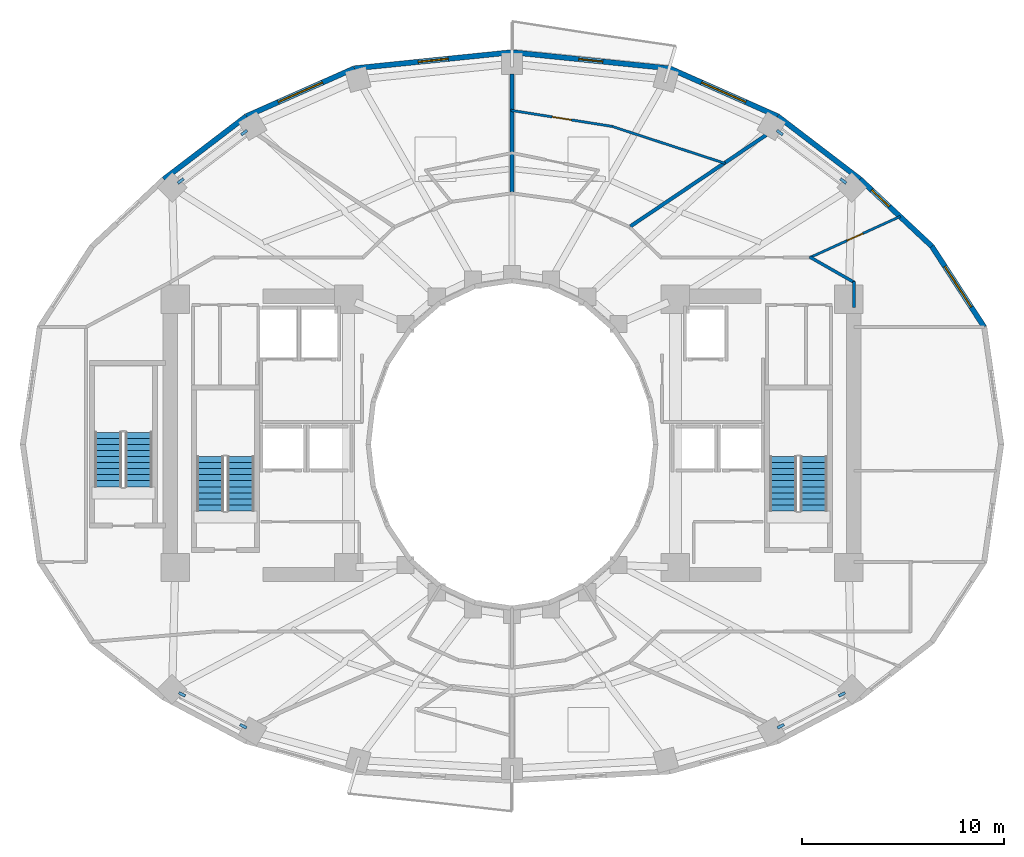
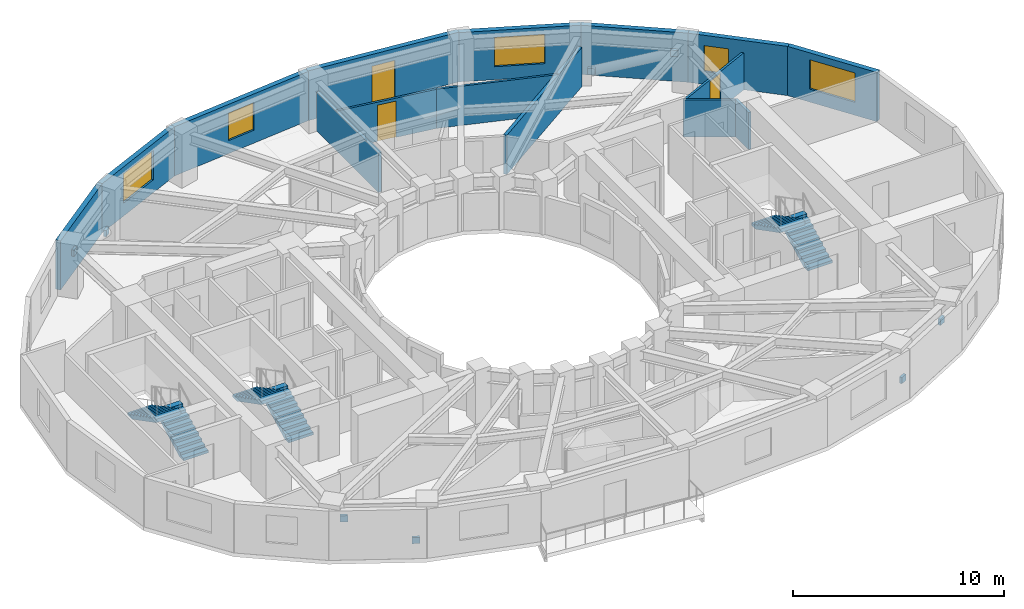
# One storey, part 7 of 9: 15 walls, 8 discrete accessories, 6 stair flights, 5 windows, 3 doors, 8 openings, 3 elements without a shape of their own.
"""IFC4 building model written with IfcOpenShell, lengths in metres."""

import ifcopenshell
import ifcopenshell.guid

model = None  # the IFC model being written
_history = None  # IfcOwnerHistory: only IFC2X3 demands one
_inside = {}  # id of a spatial element -> (the spatial element, [elements in it])
_under = {}  # id of a project, library or spatial element -> (it, [spatial elements below it])
_declared = {}  # id of a project -> (the project, [libraries it declares])
_typed = {}  # id of a type object -> (the type object, [elements of that type])
_made_of = {}  # id of a material, layer set ... -> (it, [elements and type objects made of it])


def new_model(schema):
    """Start an empty IFC model of exactly this schema.

    Asked for "IFC4X3", IfcOpenShell would pick the latest addendum, in which some entities
    have other attributes; the version numbers below select the first issue.
    IFC2X3 requires an IfcOwnerHistory on every rooted entity: one is made here for all.
    """
    global model, _history
    if schema == "IFC4X3":
        model = ifcopenshell.file(schema_version=(4, 3, 0, 0))
    else:
        model = ifcopenshell.file(schema=schema)
    _inside.clear()
    _under.clear()
    _declared.clear()
    _typed.clear()
    _made_of.clear()
    _history = None
    if model.schema == "IFC2X3":
        org = make("IfcOrganization", Name="unknown")
        user = make(
            "IfcPersonAndOrganization",
            ThePerson=make("IfcPerson", FamilyName="unknown"),
            TheOrganization=org,
        )
        app = make(
            "IfcApplication",
            ApplicationDeveloper=org,
            Version="unknown",
            ApplicationFullName="unknown",
            ApplicationIdentifier="unknown",
        )
        _history = make(
            "IfcOwnerHistory",
            OwningUser=user,
            OwningApplication=app,
            ChangeAction="ADDED",
            CreationDate=0,
        )
    return model


def make(cls, **values):
    """One entity of the class cls with the attributes given. An attribute that is None is left unset."""
    return model.create_entity(
        cls, **{name: value for name, value in values.items() if value is not None}
    )


def rooted(cls, **values):
    """An entity with a GlobalId (a new one), such as an element, a storey or a relation."""
    return make(cls, GlobalId=ifcopenshell.guid.new(), OwnerHistory=_history, **values)


def si_unit(unit_type, name, prefix=None):
    """IfcSIUnit, for example si_unit("LENGTHUNIT", "METRE", prefix="MILLI")."""
    return make("IfcSIUnit", UnitType=unit_type, Prefix=prefix, Name=name)


def assignment(units):
    """IfcUnitAssignment: the units of a project."""
    return None if units is None else make("IfcUnitAssignment", Units=units)


def point(xyz):
    """IfcCartesianPoint."""
    return None if xyz is None else make("IfcCartesianPoint", Coordinates=xyz)


def direction(xyz):
    """IfcDirection."""
    return None if xyz is None else make("IfcDirection", DirectionRatios=xyz)


def frame(location, z_axis=None, x_axis=None):
    """IfcAxis2Placement3D, a coordinate frame: its origin and axes. An axis left out is left unset."""
    return make(
        "IfcAxis2Placement3D",
        Location=point(location),
        Axis=direction(z_axis),
        RefDirection=direction(x_axis),
    )


def frame_2d(location, x_axis=None):
    """IfcAxis2Placement2D, a coordinate frame in the plane: its origin and x axis."""
    return make(
        "IfcAxis2Placement2D", Location=point(location), RefDirection=direction(x_axis)
    )


def origin():
    """The frame at (0, 0, 0) with its axes left unset."""
    return frame((0.0, 0.0, 0.0))


def origin_2d():
    """The frame at (0, 0) in the plane with its x axis left unset."""
    return frame_2d((0.0, 0.0))


def place(relative_to, where):
    """IfcLocalPlacement: puts the frame where relative to a parent placement (None: the world)."""
    return make(
        "IfcLocalPlacement", PlacementRelTo=relative_to, RelativePlacement=where
    )


def context(
    kind, dimensions, precision=None, world=None, true_north=None, identifier=None
):
    """IfcGeometricRepresentationContext, for example the 3D "Model" context."""
    return make(
        "IfcGeometricRepresentationContext",
        ContextIdentifier=identifier,
        ContextType=kind,
        CoordinateSpaceDimension=dimensions,
        Precision=precision,
        WorldCoordinateSystem=world,
        TrueNorth=true_north,
    )


def subcontext(parent, identifier, kind, view, scale=None):
    """IfcGeometricRepresentationSubContext, for example "Body" below "Model"."""
    return make(
        "IfcGeometricRepresentationSubContext",
        ContextIdentifier=identifier,
        ContextType=kind,
        ParentContext=parent,
        TargetScale=scale,
        TargetView=view,
    )


def project(units=None, contexts=None):
    """IfcProject with its units and contexts."""
    return rooted(
        "IfcProject",
        Name="project",
        RepresentationContexts=contexts,
        UnitsInContext=assignment(units),
    )


def spatial(cls, under=None, at=None, **own):
    """A site, building, storey or space (cls), placed at a placement, below another one or the project."""
    s = rooted(cls, ObjectPlacement=at, **own)
    if under is not None:
        _under.setdefault(under.id(), (under, []))[1].append(s)
    return s


def polyline(points):
    """IfcPolyline through the points."""
    return make("IfcPolyline", Points=[point(p) for p in points])


def profile(cls, at=None, kind="AREA", **sizes):
    """A parametric profile (cls). Its sizes go by their IFC names, for example OverallWidth=200.0."""
    return make(cls, ProfileType=kind, Position=at, **sizes)


def rectangle(**sizes):
    """IfcRectangleProfileDef."""
    return profile("IfcRectangleProfileDef", **sizes)


def outline(outer, holes=None, kind="AREA"):
    """IfcArbitraryClosedProfileDef: a profile drawn as a closed curve; with holes, ...WithVoids."""
    if holes is None:
        return make("IfcArbitraryClosedProfileDef", ProfileType=kind, OuterCurve=outer)
    return make(
        "IfcArbitraryProfileDefWithVoids",
        ProfileType=kind,
        OuterCurve=outer,
        InnerCurves=holes,
    )


def extrude(swept, where, along, depth):
    """IfcExtrudedAreaSolid: the profile swept, set in the frame where, extruded along a direction by depth."""
    return make(
        "IfcExtrudedAreaSolid",
        SweptArea=swept,
        Position=where,
        ExtrudedDirection=direction(along),
        Depth=depth,
    )


def shape(context_of_items, identifier, shape_type, items):
    """IfcShapeRepresentation: the items that make up one representation, for example the "Body"."""
    return make(
        "IfcShapeRepresentation",
        ContextOfItems=context_of_items,
        RepresentationIdentifier=identifier,
        RepresentationType=shape_type,
        Items=items,
    )


def material(Name=None, Category=None):
    """IfcMaterial."""
    return make("IfcMaterial", Name=Name, Category=Category)


def layer(
    of_material, thickness, ventilated=None, Name=None, Category=None, Priority=None
):
    """IfcMaterialLayer: one layer of a wall or slab, of a material (None: an air gap)."""
    return make(
        "IfcMaterialLayer",
        Material=of_material,
        LayerThickness=thickness,
        IsVentilated=ventilated,
        Name=Name,
        Category=Category,
        Priority=Priority,
    )


def layer_set(layers, Name=None):
    """IfcMaterialLayerSet."""
    return make("IfcMaterialLayerSet", MaterialLayers=layers, LayerSetName=Name)


def made_of(thing, what):
    """Note that an element or type object is made of a material, layer set ...; save() writes the relation."""
    if what is not None:
        _made_of.setdefault(what.id(), (what, []))[1].append(thing)
    return thing


def type_object(cls, material=None, **own):
    """A type object (cls), such as IfcWallType, which elements share."""
    return made_of(rooted(cls, **own), material)


def element(
    cls,
    number,
    at=None,
    inside=None,
    cuts=None,
    type_object=None,
    material=None,
    context=None,
    identifier="Body",
    shape_type=None,
    held_by="IfcProductDefinitionShape",
    body=None,
    shapes=None,
    **own,
):
    """One element of the class cls, such as IfcWall. Its Tag is "e" and its number.

    at: its placement. inside: the storey or other place that contains it. cuts: it is an
    opening in that element (IfcRelVoidsElement). A single representation is given by context,
    identifier, shape_type and body (its items); several are given by shapes. held_by: the class
    of the entity that holds the representations. save() writes the other relations.
    """
    e = rooted(cls, Tag="e%d" % number, ObjectPlacement=at, **own)
    if body is not None:
        shapes = [shape(context, identifier, shape_type, body)]
    if shapes is not None:
        e.Representation = make(held_by, Representations=shapes)
    if inside is not None:
        _inside.setdefault(inside.id(), (inside, []))[1].append(e)
    if cuts is not None:
        rooted(
            "IfcRelVoidsElement", RelatingBuildingElement=cuts, RelatedOpeningElement=e
        )
    if type_object is not None:
        _typed.setdefault(type_object.id(), (type_object, []))[1].append(e)
    return made_of(e, material)


def fill(opening, filler):
    """IfcRelFillsElement: the door or window that sits in an opening."""
    return rooted(
        "IfcRelFillsElement",
        RelatingOpeningElement=opening,
        RelatedBuildingElement=filler,
    )


def aggregate(whole, parts):
    """IfcRelAggregates: a whole, such as a stair, and the parts it consists of."""
    return rooted("IfcRelAggregates", RelatingObject=whole, RelatedObjects=parts)


def save(model, path):
    """Write the relations noted so far, then the file.

    IfcRelAggregates (storeys below a building ...), IfcRelContainedInSpatialStructure (elements
    in a storey), IfcRelDefinesByType, IfcRelAssociatesMaterial and IfcRelDeclares: one each for
    every whole, place, type object, material and project.
    """
    for whole, parts in _under.values():
        aggregate(whole, parts)
    for where, things in _inside.values():
        rooted(
            "IfcRelContainedInSpatialStructure",
            RelatedElements=things,
            RelatingStructure=where,
        )
    for kind, things in _typed.values():
        rooted("IfcRelDefinesByType", RelatedObjects=things, RelatingType=kind)
    for what, things in _made_of.values():
        rooted("IfcRelAssociatesMaterial", RelatedObjects=things, RelatingMaterial=what)
    for by, libraries in _declared.values():
        rooted("IfcRelDeclares", RelatingContext=by, RelatedDefinitions=libraries)
    model.write(path)


model = new_model("IFC4")

# Units and contexts
model_context = context("Model", 3, precision=1e-05, world=origin(), true_north=direction((0.0, 1.0)))
body_context = subcontext(model_context, "Body", "Model", "MODEL_VIEW")
ifc_project = project(units=[si_unit("LENGTHUNIT", "METRE"), si_unit("AREAUNIT", "SQUARE_METRE"), si_unit("VOLUMEUNIT", "CUBIC_METRE"), si_unit("PLANEANGLEUNIT", "RADIAN"), si_unit("MASSUNIT", "GRAM", prefix="KILO")], contexts=[model_context])

# Site, building, storey
site_placement = place(None, origin())
site = spatial("IfcSite", under=ifc_project, at=site_placement, CompositionType="ELEMENT")
building_placement = place(site_placement, origin())
building = spatial("IfcBuilding", under=site, at=building_placement, Name="Solvane Sanctuary Tower", CompositionType="ELEMENT")
storey_placement = place(building_placement, frame((0.0, 0.0, 116.60009765625)))
storey = spatial("IfcBuildingStorey", under=building, at=storey_placement, Name="L35", CompositionType="ELEMENT", Elevation=116.60009765625)

# Walls
ifc_material_1 = material(Name="Acoustic Gypsum Partition Board")
ifc_layer_1 = layer(ifc_material_1, 0.14990234375, Name="Acoustic Gypsum Partition Board")
ifc_layer_set_1 = layer_set([ifc_layer_1], Name="Acoustic Gypsum Partition Board")
wall_type_1 = type_object("IfcWallType", Name="Wall W-CORR-150", PredefinedType="PARTITIONING", material=ifc_layer_set_1)
wall_1_placement = place(storey_placement, frame((48.949951171875, 29.800048828125, 0.0), z_axis=(0.0, 0.0, 1.0), x_axis=(0.0, 1.0, 0.0)))
element("IfcWall", 1, at=wall_1_placement, inside=storey, type_object=wall_type_1, Name="L35 NE Corner Closer 1", PredefinedType="PARTITIONING", context=body_context, shape_type="SweptSolid", body=[
    extrude(rectangle(XDim=1.2900390625, YDim=0.14990234375, at=frame_2d((0.64501953125, 0.0))), origin(), (0.0, 0.0, 1.0), 2.141845703125),
])
wall_2_placement = place(storey_placement, frame((46.756591796875, 32.3046875, 0.0), z_axis=(0.0, 0.0, 1.0), x_axis=(0.867991349648, -0.496579315857, 0.0)))
element("IfcWall", 2, at=wall_2_placement, inside=storey, type_object=wall_type_1, Name="L35 NE Corner Wing Wall", PredefinedType="PARTITIONING", context=body_context, shape_type="SweptSolid", body=[
    extrude(rectangle(XDim=2.56689453125, YDim=0.14990234375, at=frame_2d((1.283447265625, 0.0))), origin(), (0.0, 0.0, 1.0), 2.141845703125),
])

# Wall, opening, window
ifc_material_2 = material(Name="Precast concrete C40/50", Category="concrete")
ifc_layer_2 = layer(ifc_material_2, 0.260009765625, Name="Precast concrete C40/50")
ifc_layer_set_2 = layer_set([ifc_layer_2], Name="Precast concrete C40/50")
wall_type_2 = type_object("IfcWallType", Name="Wall W-EXT-250", PredefinedType="STANDARD", material=ifc_layer_set_2)
wall_3_placement = place(storey_placement, frame((55.421875, 28.818603515625, 0.0), z_axis=(0.0, 0.0, 1.0), x_axis=(-0.544388392991, 0.838833283541, 0.0)))
wall_3 = element("IfcWall", 3, at=wall_3_placement, inside=storey, type_object=wall_type_2, Name="L35 Ceramic-Printed Facade Wall 01", PredefinedType="STANDARD", context=body_context, shape_type="SweptSolid", body=[
    extrude(rectangle(XDim=4.7783203125, YDim=0.260009765625, at=frame_2d((2.38916015625, 0.0))), origin(), (0.0, 0.0, 1.0), 2.849853515625),
])
opening_1_placement = place(wall_3_placement, frame((1.189208984375, 0.0, 0.75)))
opening_1 = element("IfcOpeningElement", 4, at=opening_1_placement, cuts=wall_3, Name="Opening WN-RIB-2400", PredefinedType="OPENING", context=body_context, shape_type="SweptSolid", body=[
    extrude(rectangle(XDim=2.39990234375, YDim=1.699951171875, at=frame_2d((1.199951171875, 0.85009765625))), frame((0.0, 0.139892578125, 0.0), z_axis=(0.0, -1.0, 0.0), x_axis=(1.0, 0.0, 0.0)), (0.0, 0.0, 1.0), 0.280029296875),
])
ifc_material_3 = material(Name="Dark Ceramic-Fritted Low-E Glass", Category="glass")
window_type_1 = type_object("IfcWindowType", Name="Window WN-RIB-2400", PartitioningType="SINGLE_PANEL", PredefinedType="WINDOW", material=ifc_material_3)
window_1_placement = place(opening_1_placement, origin())
window_1 = element("IfcWindow", 5, at=window_1_placement, inside=storey, type_object=window_type_1, Name="L35 Operable Facade Window 01", OverallHeight=1.699951171875, OverallWidth=2.39990234375, PartitioningType="SINGLE_PANEL", PredefinedType="WINDOW", context=body_context, shape_type="SweptSolid", body=[
    extrude(rectangle(XDim=2.39990234375, YDim=1.699951171875, at=frame_2d((1.199951171875, 0.85009765625))), frame((0.0, 0.030029296875, 0.0), z_axis=(0.0, -1.0, 0.0), x_axis=(1.0, 0.0, 0.0)), (0.0, 0.0, 1.0), 0.06005859375),
])
fill(opening_1, window_1)

wall_4_placement = place(storey_placement, frame((52.820556640625, 32.826904296875, 0.0), z_axis=(0.0, 0.0, 1.0), x_axis=(-0.730162452258, 0.68327358599, 0.0)))
wall_4 = element("IfcWall", 6, at=wall_4_placement, inside=storey, type_object=wall_type_2, Name="L35 Ceramic-Printed Facade Wall 02", PredefinedType="STANDARD", context=body_context, shape_type="SweptSolid", body=[
    extrude(rectangle(XDim=4.868408203125, YDim=0.260009765625, at=frame_2d((2.43408203125, 0.0))), origin(), (0.0, 0.0, 1.0), 2.849853515625),
])
opening_2_placement = place(wall_4_placement, frame((2.88916015625, 0.0, 0.75)))
opening_2 = element("IfcOpeningElement", 7, at=opening_2_placement, cuts=wall_4, Name="Opening WN-OPER-1200", PredefinedType="OPENING", context=body_context, shape_type="SweptSolid", body=[
    extrude(rectangle(XDim=1.199951171875, YDim=1.5, at=frame_2d((0.60009765625, 0.75))), frame((0.0, 0.139892578125, 0.0), z_axis=(0.0, -1.0, 0.0), x_axis=(1.0, 0.0, 0.0)), (0.0, 0.0, 1.0), 0.280029296875),
])
window_type_2 = type_object("IfcWindowType", Name="Window WN-OPER-1200", PartitioningType="SINGLE_PANEL", PredefinedType="WINDOW", material=ifc_material_3)
window_2_placement = place(opening_2_placement, origin())
window_2 = element("IfcWindow", 8, at=window_2_placement, inside=storey, type_object=window_type_2, Name="L35 Operable Facade Window 02", OverallHeight=1.5, OverallWidth=1.199951171875, PartitioningType="SINGLE_PANEL", PredefinedType="WINDOW", context=body_context, shape_type="SweptSolid", body=[
    extrude(rectangle(XDim=1.199951171875, YDim=1.5, at=frame_2d((0.60009765625, 0.75))), frame((0.0, 0.030029296875, 0.0), z_axis=(0.0, -1.0, 0.0), x_axis=(1.0, 0.0, 0.0)), (0.0, 0.0, 1.0), 0.06005859375),
])
fill(opening_2, window_2)

# Wall
wall_5_placement = place(storey_placement, frame((49.265869140625, 36.1533203125, 0.0), z_axis=(0.0, 0.0, 1.0), x_axis=(-0.794809810864, 0.606858603427, 0.0)))
element("IfcWall", 9, at=wall_5_placement, inside=storey, type_object=wall_type_2, Name="L35 Ceramic-Printed Facade Wall 03", PredefinedType="STANDARD", context=body_context, shape_type="SweptSolid", body=[
    extrude(rectangle(XDim=5.149169921875, YDim=0.260009765625, at=frame_2d((2.57470703125, 0.0))), origin(), (0.0, 0.0, 1.0), 2.849853515625),
])

# Wall, opening, window
wall_6_placement = place(storey_placement, frame((45.17333984375, 39.278076171875, 0.0), z_axis=(0.0, 0.0, 1.0), x_axis=(-0.914336605747, 0.404955023911, 0.0)))
wall_6 = element("IfcWall", 10, at=wall_6_placement, inside=storey, type_object=wall_type_2, Name="L35 Ceramic-Printed Facade Wall 04", PredefinedType="STANDARD", context=body_context, shape_type="SweptSolid", body=[
    extrude(rectangle(XDim=5.85888671875, YDim=0.260009765625, at=frame_2d((2.929443359375, 0.0))), origin(), (0.0, 0.0, 1.0), 2.849853515625),
])
opening_3_placement = place(wall_6_placement, frame((1.7294921875, 0.0, 0.75)))
opening_3 = element("IfcOpeningElement", 11, at=opening_3_placement, cuts=wall_6, Name="Opening WN-RIB-2400", PredefinedType="OPENING", context=body_context, shape_type="SweptSolid", body=[
    extrude(rectangle(XDim=2.39990234375, YDim=1.699951171875, at=frame_2d((1.199951171875, 0.85009765625))), frame((0.0, 0.139892578125, 0.0), z_axis=(0.0, -1.0, 0.0), x_axis=(1.0, 0.0, 0.0)), (0.0, 0.0, 1.0), 0.280029296875),
])
window_3_placement = place(opening_3_placement, origin())
window_3 = element("IfcWindow", 12, at=window_3_placement, inside=storey, type_object=window_type_1, Name="L35 Operable Facade Window 04", OverallHeight=1.699951171875, OverallWidth=2.39990234375, PartitioningType="SINGLE_PANEL", PredefinedType="WINDOW", context=body_context, shape_type="SweptSolid", body=[
    extrude(rectangle(XDim=2.39990234375, YDim=1.699951171875, at=frame_2d((1.199951171875, 0.85009765625))), frame((0.0, 0.030029296875, 0.0), z_axis=(0.0, -1.0, 0.0), x_axis=(1.0, 0.0, 0.0)), (0.0, 0.0, 1.0), 0.06005859375),
])
fill(opening_3, window_3)

# Wall, opening, door
wall_7_placement = place(storey_placement, frame((39.81640625, 41.650634765625, 0.0), z_axis=(0.0, 0.0, 1.0), x_axis=(-0.994821390558, 0.101638579726, 0.0)))
wall_7 = element("IfcWall", 13, at=wall_7_placement, inside=storey, type_object=wall_type_2, Name="L35 Balcony Facade Wall NC", PredefinedType="STANDARD", context=body_context, shape_type="SweptSolid", body=[
    extrude(rectangle(XDim=7.857177734375, YDim=0.260009765625, at=frame_2d((3.9287109375, 0.0))), origin(), (0.0, 0.0, 1.0), 2.8798828125),
])
opening_4_placement = place(wall_7_placement, frame((3.32861328125, 0.0, 0.0)))
opening_4 = element("IfcOpeningElement", 14, at=opening_4_placement, cuts=wall_7, Name="Opening D-L35-01", PredefinedType="OPENING", context=body_context, shape_type="SweptSolid", body=[
    extrude(rectangle(XDim=1.199951171875, YDim=2.199951171875, at=frame_2d((0.60009765625, 1.10009765625))), frame((0.0, 0.139892578125, 0.0), z_axis=(0.0, -1.0, 0.0), x_axis=(1.0, 0.0, 0.0)), (0.0, 0.0, 1.0), 0.280029296875),
])
ifc_material_4 = material(Name="Anodised Aluminium 6063-T6", Category="aluminium")
door_type_1 = type_object("IfcDoorType", Name="Door D-BALC-1200", OperationType="NOTDEFINED", PredefinedType="DOOR", material=ifc_material_4)
door_1_placement = place(opening_4_placement, origin())
door_1 = element("IfcDoor", 15, at=door_1_placement, inside=storey, type_object=door_type_1, Name="L35 Glazed Balcony Door NC", OperationType="SINGLE_SWING_RIGHT", OverallHeight=2.199951171875, OverallWidth=1.199951171875, PredefinedType="DOOR", context=body_context, shape_type="SweptSolid", body=[
    extrude(rectangle(XDim=1.199951171875, YDim=2.199951171875, at=frame_2d((0.60009765625, 1.10009765625))), frame((0.0, 0.02490234375, 0.0), z_axis=(0.0, -1.0, 0.0), x_axis=(1.0, 0.0, 0.0)), (0.0, 0.0, 1.0), 0.050048828125),
])
fill(opening_4, door_1)

# Wall, opening, window
wall_8_placement = place(storey_placement, frame((32.0, 42.44921875, 0.0), z_axis=(0.0, 0.0, 1.0), x_axis=(-0.994821390558, -0.101638579726, 0.0)))
wall_8 = element("IfcWall", 16, at=wall_8_placement, inside=storey, type_object=wall_type_2, Name="L35 Ceramic-Printed Facade Wall 06", PredefinedType="STANDARD", context=body_context, shape_type="SweptSolid", body=[
    extrude(rectangle(XDim=7.857177734375, YDim=0.260009765625, at=frame_2d((3.9287109375, 0.0))), origin(), (0.0, 0.0, 1.0), 2.849853515625),
])
opening_5_placement = place(wall_8_placement, frame((3.178466796875, 0.0, 0.75)))
opening_5 = element("IfcOpeningElement", 17, at=opening_5_placement, cuts=wall_8, Name="Opening WN-OPER-1500", PredefinedType="OPENING", context=body_context, shape_type="SweptSolid", body=[
    extrude(rectangle(XDim=1.5, YDim=1.60009765625, at=frame_2d((0.75, 0.800048828125))), frame((0.0, 0.139892578125, 0.0), z_axis=(0.0, -1.0, 0.0), x_axis=(1.0, 0.0, 0.0)), (0.0, 0.0, 1.0), 0.280029296875),
])
window_type_3 = type_object("IfcWindowType", Name="Window WN-OPER-1500", PartitioningType="SINGLE_PANEL", PredefinedType="WINDOW", material=ifc_material_3)
window_4_placement = place(opening_5_placement, origin())
window_4 = element("IfcWindow", 18, at=window_4_placement, inside=storey, type_object=window_type_3, Name="L35 Operable Facade Window 06", OverallHeight=1.60009765625, OverallWidth=1.5, PartitioningType="SINGLE_PANEL", PredefinedType="WINDOW", context=body_context, shape_type="SweptSolid", body=[
    extrude(rectangle(XDim=1.5, YDim=1.60009765625, at=frame_2d((0.75, 0.800048828125))), frame((0.0, 0.030029296875, 0.0), z_axis=(0.0, -1.0, 0.0), x_axis=(1.0, 0.0, 0.0)), (0.0, 0.0, 1.0), 0.06005859375),
])
fill(opening_5, window_4)

wall_9_placement = place(storey_placement, frame((24.18359375, 41.650634765625, 0.0), z_axis=(0.0, 0.0, 1.0), x_axis=(-0.914336605747, -0.404955023911, 0.0)))
wall_9 = element("IfcWall", 19, at=wall_9_placement, inside=storey, type_object=wall_type_2, Name="L35 Ceramic-Printed Facade Wall 07", PredefinedType="STANDARD", context=body_context, shape_type="SweptSolid", body=[
    extrude(rectangle(XDim=5.85888671875, YDim=0.260009765625, at=frame_2d((2.929443359375, 0.0))), origin(), (0.0, 0.0, 1.0), 2.849853515625),
])
opening_6_placement = place(wall_9_placement, frame((1.7294921875, 0.0, 0.75)))
opening_6 = element("IfcOpeningElement", 20, at=opening_6_placement, cuts=wall_9, Name="Opening WN-RIB-2400", PredefinedType="OPENING", context=body_context, shape_type="SweptSolid", body=[
    extrude(rectangle(XDim=2.39990234375, YDim=1.699951171875, at=frame_2d((1.199951171875, 0.85009765625))), frame((0.0, 0.139892578125, 0.0), z_axis=(0.0, -1.0, 0.0), x_axis=(1.0, 0.0, 0.0)), (0.0, 0.0, 1.0), 0.280029296875),
])
window_5_placement = place(opening_6_placement, origin())
window_5 = element("IfcWindow", 21, at=window_5_placement, inside=storey, type_object=window_type_1, Name="L35 Operable Facade Window 07", OverallHeight=1.699951171875, OverallWidth=2.39990234375, PartitioningType="SINGLE_PANEL", PredefinedType="WINDOW", context=body_context, shape_type="SweptSolid", body=[
    extrude(rectangle(XDim=2.39990234375, YDim=1.699951171875, at=frame_2d((1.199951171875, 0.85009765625))), frame((0.0, 0.030029296875, 0.0), z_axis=(0.0, -1.0, 0.0), x_axis=(1.0, 0.0, 0.0)), (0.0, 0.0, 1.0), 0.06005859375),
])
fill(opening_6, window_5)

# Wall
wall_10_placement = place(storey_placement, frame((18.82666015625, 39.278076171875, 0.0), z_axis=(0.0, 0.0, 1.0), x_axis=(-0.794809810864, -0.606858603427, 0.0)))
element("IfcWall", 22, at=wall_10_placement, inside=storey, type_object=wall_type_2, Name="L35 Ceramic-Printed Facade Wall 08", PredefinedType="STANDARD", context=body_context, shape_type="SweptSolid", body=[
    extrude(rectangle(XDim=5.149169921875, YDim=0.260009765625, at=frame_2d((2.57470703125, 0.0))), origin(), (0.0, 0.0, 1.0), 2.849853515625),
])

# Wall, opening, door
ifc_layer_3 = layer(ifc_material_1, 0.1201171875, Name="Acoustic Gypsum Partition Board")
ifc_layer_set_3 = layer_set([ifc_layer_3], Name="Acoustic Gypsum Partition Board")
wall_type_3 = type_object("IfcWallType", Name="Wall W-MOV-100", PredefinedType="MOVABLE", material=ifc_layer_set_3)
wall_11_placement = place(storey_placement, frame((46.75439453125, 32.25927734375, 0.0), z_axis=(0.0, 0.0, 1.0), x_axis=(0.910140380276, 0.414299997817, 0.0)))
wall_11 = element("IfcWall", 23, at=wall_11_placement, inside=storey, type_object=wall_type_3, Name="L35 NE Corner Suite Partition", PredefinedType="MOVABLE", context=body_context, shape_type="SweptSolid", body=[
    extrude(rectangle(XDim=4.958251953125, YDim=0.1201171875, at=frame_2d((2.47900390625, 0.0))), origin(), (0.0, 0.0, 1.0), 2.141845703125),
])
opening_7_placement = place(wall_11_placement, frame((2.05419921875, 0.0, 0.0)))
opening_7 = element("IfcOpeningElement", 24, at=opening_7_placement, cuts=wall_11, Name="Opening D-L35-17", PredefinedType="OPENING", context=body_context, shape_type="SweptSolid", body=[
    extrude(rectangle(XDim=0.85009765625, YDim=2.050048828125, at=frame_2d((0.425048828125, 1.02490234375))), frame((0.0, 0.070068359375, 0.0), z_axis=(0.0, -1.0, 0.0), x_axis=(1.0, 0.0, 0.0)), (0.0, 0.0, 1.0), 0.14013671875),
])
ifc_material_5 = material(Name="Architectural Stainless Steel 316", Category="steel")
door_type_2 = type_object("IfcDoorType", Name="Door D-RISER", OperationType="NOTDEFINED", PredefinedType="DOOR", material=ifc_material_5)
door_2_placement = place(opening_7_placement, origin())
door_2 = element("IfcDoor", 25, at=door_2_placement, inside=storey, type_object=door_type_2, Name="L35 NE Corner Suite Door", OperationType="SINGLE_SWING_RIGHT", OverallHeight=2.050048828125, OverallWidth=0.85009765625, PredefinedType="DOOR", context=body_context, shape_type="SweptSolid", body=[
    extrude(rectangle(XDim=0.85009765625, YDim=2.050048828125, at=frame_2d((0.425048828125, 1.02490234375))), frame((0.0, 0.02490234375, 0.0), z_axis=(0.0, -1.0, 0.0), x_axis=(1.0, 0.0, 0.0)), (0.0, 0.0, 1.0), 0.050048828125),
])
fill(opening_7, door_2)

# Wall
wall_12_placement = place(storey_placement, frame((42.577880859375, 36.9365234375, 0.0), z_axis=(0.0, 0.0, 1.0), x_axis=(-0.950437911455, 0.310914419848, 0.0)))
element("IfcWall", 26, at=wall_12_placement, inside=storey, type_object=wall_type_3, Name="L35 Suite Sitting Lounge Partition N1", PredefinedType="MOVABLE", context=body_context, shape_type="SweptSolid", body=[
    extrude(rectangle(XDim=5.919189453125, YDim=0.1201171875, at=frame_2d((2.95947265625, 0.0))), origin(), (0.0, 0.0, 1.0), 2.27197265625),
])

# Wall, opening, door
wall_13_placement = place(storey_placement, frame((36.971435546875, 38.772216796875, 0.0), z_axis=(0.0, 0.0, 1.0), x_axis=(-0.987600451088, 0.156988372215, 0.0)))
wall_13 = element("IfcWall", 27, at=wall_13_placement, inside=storey, type_object=wall_type_3, Name="L35 Suite Sitting Lounge Partition N1", PredefinedType="MOVABLE", context=body_context, shape_type="SweptSolid", body=[
    extrude(rectangle(XDim=5.083740234375, YDim=0.1201171875, at=frame_2d((2.5419921875, 0.0))), origin(), (0.0, 0.0, 1.0), 2.27197265625),
])
opening_8_placement = place(wall_13_placement, frame((2.06689453125, 0.0, 0.0)))
opening_8 = element("IfcOpeningElement", 28, at=opening_8_placement, cuts=wall_13, Name="Opening D-L35-25", PredefinedType="OPENING", context=body_context, shape_type="SweptSolid", body=[
    extrude(rectangle(XDim=0.949951171875, YDim=2.10009765625, at=frame_2d((0.47509765625, 1.050048828125))), frame((0.0, 0.070068359375, 0.0), z_axis=(0.0, -1.0, 0.0), x_axis=(1.0, 0.0, 0.0)), (0.0, 0.0, 1.0), 0.14013671875),
])
ifc_material_6 = material(Name="Engineered Tropical Hardwood", Category="wood")
door_type_3 = type_object("IfcDoorType", Name="Door D-ROOM-950", OperationType="NOTDEFINED", PredefinedType="DOOR", material=ifc_material_6)
door_3_placement = place(opening_8_placement, origin())
door_3 = element("IfcDoor", 29, at=door_3_placement, inside=storey, type_object=door_type_3, Name="L35 Suite Sitting Lounge Door N1", OperationType="SINGLE_SWING_RIGHT", OverallHeight=2.10009765625, OverallWidth=0.949951171875, PredefinedType="DOOR", context=body_context, shape_type="SweptSolid", body=[
    extrude(rectangle(XDim=0.949951171875, YDim=2.10009765625, at=frame_2d((0.47509765625, 1.050048828125))), frame((0.0, 0.02490234375, 0.0), z_axis=(0.0, -1.0, 0.0), x_axis=(1.0, 0.0, 0.0)), (0.0, 0.0, 1.0), 0.050048828125),
])
fill(opening_8, door_3)

# Walls
ifc_layer_4 = layer(ifc_material_1, 0.179931640625, Name="Acoustic Gypsum Partition Board")
ifc_layer_set_4 = layer_set([ifc_layer_4], Name="Acoustic Gypsum Partition Board")
wall_type_4 = type_object("IfcWallType", Name="Wall W-UNIT-180", PredefinedType="PARTITIONING", material=ifc_layer_set_4)
wall_14_placement = place(storey_placement, frame((37.87353515625, 33.81787109375, 0.0), z_axis=(0.0, 0.0, 1.0), x_axis=(0.829603023521, 0.558353672295, 0.0)))
element("IfcWall", 30, at=wall_14_placement, inside=storey, type_object=wall_type_4, Name="L35 Radial Compartment Wall 060", PredefinedType="PARTITIONING", context=body_context, shape_type="SweptSolid", body=[
    extrude(rectangle(XDim=8.114990234375, YDim=0.179931640625, at=frame_2d((4.0576171875, 0.0))), origin(), (0.0, 0.0, 1.0), 2.27197265625),
])
wall_15_placement = place(storey_placement, frame((32.0, 35.510986328125, 0.0), z_axis=(0.0, 0.0, 1.0), x_axis=(0.0, 1.0, 0.0)))
element("IfcWall", 31, at=wall_15_placement, inside=storey, type_object=wall_type_4, Name="L35 Radial Compartment Wall 090", PredefinedType="PARTITIONING", context=body_context, shape_type="SweptSolid", body=[
    extrude(rectangle(XDim=5.864013671875, YDim=0.179931640625, at=frame_2d((2.93212890625, 0.0))), origin(), (0.0, 0.0, 1.0), 2.27197265625),
])

# Stair, stair flights
ifc_material_7 = material(Name="Concrete C45/55", Category="concrete")
stair_type = type_object("IfcStairType", Name="Stair ST-TOW", PredefinedType="HALF_TURN_STAIR", material=ifc_material_7)
stair_1_placement = place(storey_placement, origin())
stair_1 = element("IfcStair", 32, at=stair_1_placement, inside=storey, type_object=stair_type, Name="L35 Exit Stair ST-1 West Core", PredefinedType="HALF_TURN_STAIR")
stair_flight_type = type_object("IfcStairFlightType", Name="StairFlight SF-TOW", PredefinedType="STRAIGHT", material=ifc_material_7)
stair_flight_1_placement = place(storey_placement, frame((18.544921875, 19.699951171875, 0.0), z_axis=(0.0, 0.0, 1.0), x_axis=(0.0, 1.0, 0.0)))
stair_flight_1 = element("IfcStairFlight", 33, at=stair_flight_1_placement, type_object=stair_flight_type, Name="ST-1 flight 1", NumberOfRisers=10, NumberOfTreads=9, PredefinedType="STRAIGHT", RiserHeight=0.155, TreadLength=0.3, context=body_context, shape_type="SweptSolid", body=[
    extrude(outline(polyline([(0.0, 0.0), (0.0, 0.155029296875), (0.300048828125, 0.155029296875), (0.300048828125, 0.31005859375), (0.60009765625, 0.31005859375), (0.60009765625, 0.465087890625), (0.89990234375, 0.465087890625), (0.89990234375, 0.6201171875), (1.199951171875, 0.6201171875), (1.199951171875, 0.77490234375), (1.5, 0.77490234375), (1.5, 0.929931640625), (1.800048828125, 0.929931640625), (1.800048828125, 1.0849609375), (2.10009765625, 1.0849609375), (2.10009765625, 1.239990234375), (2.39990234375, 1.239990234375), (2.39990234375, 1.39501953125), (2.699951171875, 1.39501953125), (2.699951171875, 1.550048828125), (2.699951171875, 1.1923828125), (0.39208984375, 0.0), (0.0, 0.0)])), frame((0.0, 0.675048828125, 0.0), z_axis=(0.0, -1.0, 0.0), x_axis=(1.0, 0.0, 0.0)), (0.0, 0.0, 1.0), 1.35009765625),
])
stair_flight_2_placement = place(storey_placement, frame((17.034912109375, 22.39990234375, 1.5498046875), z_axis=(0.0, 0.0, 1.0), x_axis=(0.0, -1.0, 0.0)))
stair_flight_2 = element("IfcStairFlight", 34, at=stair_flight_2_placement, type_object=stair_flight_type, Name="ST-1 flight 2", NumberOfRisers=10, NumberOfTreads=9, PredefinedType="STRAIGHT", RiserHeight=0.155, TreadLength=0.3, context=body_context, shape_type="SweptSolid", body=[
    extrude(outline(polyline([(0.0, 0.0), (0.0, 0.155029296875), (0.300048828125, 0.155029296875), (0.300048828125, 0.31005859375), (0.60009765625, 0.31005859375), (0.60009765625, 0.465087890625), (0.89990234375, 0.465087890625), (0.89990234375, 0.6201171875), (1.199951171875, 0.6201171875), (1.199951171875, 0.77490234375), (1.5, 0.77490234375), (1.5, 0.929931640625), (1.800048828125, 0.929931640625), (1.800048828125, 1.0849609375), (2.10009765625, 1.0849609375), (2.10009765625, 1.239990234375), (2.39990234375, 1.239990234375), (2.39990234375, 1.39501953125), (2.699951171875, 1.39501953125), (2.699951171875, 1.550048828125), (2.699951171875, 1.1923828125), (0.39208984375, 0.0), (0.0, 0.0)])), frame((0.0, 0.675048828125, 0.0), z_axis=(0.0, -1.0, 0.0), x_axis=(1.0, 0.0, 0.0)), (0.0, 0.0, 1.0), 1.35009765625),
])
aggregate(stair_1, [stair_flight_1, stair_flight_2])

stair_2_placement = place(storey_placement, origin())
stair_2 = element("IfcStair", 35, at=stair_2_placement, inside=storey, type_object=stair_type, Name="L35 Exit Stair ST-2 East Core", PredefinedType="HALF_TURN_STAIR")
stair_flight_3_placement = place(storey_placement, frame((46.965087890625, 19.699951171875, 0.0), z_axis=(0.0, 0.0, 1.0), x_axis=(0.0, 1.0, 0.0)))
stair_flight_3 = element("IfcStairFlight", 36, at=stair_flight_3_placement, type_object=stair_flight_type, Name="ST-2 flight 1", NumberOfRisers=10, NumberOfTreads=9, PredefinedType="STRAIGHT", RiserHeight=0.155, TreadLength=0.3, context=body_context, shape_type="SweptSolid", body=[
    extrude(outline(polyline([(0.0, 0.0), (0.0, 0.155029296875), (0.300048828125, 0.155029296875), (0.300048828125, 0.31005859375), (0.60009765625, 0.31005859375), (0.60009765625, 0.465087890625), (0.89990234375, 0.465087890625), (0.89990234375, 0.6201171875), (1.199951171875, 0.6201171875), (1.199951171875, 0.77490234375), (1.5, 0.77490234375), (1.5, 0.929931640625), (1.800048828125, 0.929931640625), (1.800048828125, 1.0849609375), (2.10009765625, 1.0849609375), (2.10009765625, 1.239990234375), (2.39990234375, 1.239990234375), (2.39990234375, 1.39501953125), (2.699951171875, 1.39501953125), (2.699951171875, 1.550048828125), (2.699951171875, 1.1923828125), (0.39208984375, 0.0), (0.0, 0.0)])), frame((0.0, 0.675048828125, 0.0), z_axis=(0.0, -1.0, 0.0), x_axis=(1.0, 0.0, 0.0)), (0.0, 0.0, 1.0), 1.35009765625),
])
stair_flight_4_placement = place(storey_placement, frame((45.455078125, 22.39990234375, 1.5498046875), z_axis=(0.0, 0.0, 1.0), x_axis=(0.0, -1.0, 0.0)))
stair_flight_4 = element("IfcStairFlight", 37, at=stair_flight_4_placement, type_object=stair_flight_type, Name="ST-2 flight 2", NumberOfRisers=10, NumberOfTreads=9, PredefinedType="STRAIGHT", RiserHeight=0.155, TreadLength=0.3, context=body_context, shape_type="SweptSolid", body=[
    extrude(outline(polyline([(0.0, 0.0), (0.0, 0.155029296875), (0.300048828125, 0.155029296875), (0.300048828125, 0.31005859375), (0.60009765625, 0.31005859375), (0.60009765625, 0.465087890625), (0.89990234375, 0.465087890625), (0.89990234375, 0.6201171875), (1.199951171875, 0.6201171875), (1.199951171875, 0.77490234375), (1.5, 0.77490234375), (1.5, 0.929931640625), (1.800048828125, 0.929931640625), (1.800048828125, 1.0849609375), (2.10009765625, 1.0849609375), (2.10009765625, 1.239990234375), (2.39990234375, 1.239990234375), (2.39990234375, 1.39501953125), (2.699951171875, 1.39501953125), (2.699951171875, 1.550048828125), (2.699951171875, 1.1923828125), (0.39208984375, 0.0), (0.0, 0.0)])), frame((0.0, 0.675048828125, 0.0), z_axis=(0.0, -1.0, 0.0), x_axis=(1.0, 0.0, 0.0)), (0.0, 0.0, 1.0), 1.35009765625),
])
aggregate(stair_2, [stair_flight_3, stair_flight_4])

stair_3_placement = place(storey_placement, origin())
stair_3 = element("IfcStair", 38, at=stair_3_placement, inside=storey, type_object=stair_type, Name="L35 Exit Stair ST-3 Pilgrim Tower Stair", PredefinedType="HALF_TURN_STAIR")
stair_flight_5_placement = place(storey_placement, frame((13.485107421875, 20.89990234375, 0.0), z_axis=(0.0, 0.0, 1.0), x_axis=(0.0, 1.0, 0.0)))
stair_flight_5 = element("IfcStairFlight", 39, at=stair_flight_5_placement, type_object=stair_flight_type, Name="ST-3 flight 1", NumberOfRisers=10, NumberOfTreads=9, PredefinedType="STRAIGHT", RiserHeight=0.155, TreadLength=0.3, context=body_context, shape_type="SweptSolid", body=[
    extrude(outline(polyline([(0.0, 0.0), (0.0, 0.155029296875), (0.300048828125, 0.155029296875), (0.300048828125, 0.31005859375), (0.60009765625, 0.31005859375), (0.60009765625, 0.465087890625), (0.89990234375, 0.465087890625), (0.89990234375, 0.6201171875), (1.199951171875, 0.6201171875), (1.199951171875, 0.77490234375), (1.5, 0.77490234375), (1.5, 0.929931640625), (1.800048828125, 0.929931640625), (1.800048828125, 1.0849609375), (2.10009765625, 1.0849609375), (2.10009765625, 1.239990234375), (2.39990234375, 1.239990234375), (2.39990234375, 1.39501953125), (2.699951171875, 1.39501953125), (2.699951171875, 1.550048828125), (2.699951171875, 1.1923828125), (0.39208984375, 0.0), (0.0, 0.0)])), frame((0.0, 0.675048828125, 0.0), z_axis=(0.0, -1.0, 0.0), x_axis=(1.0, 0.0, 0.0)), (0.0, 0.0, 1.0), 1.35009765625),
])
stair_flight_6_placement = place(storey_placement, frame((11.97509765625, 23.60009765625, 1.5498046875), z_axis=(0.0, 0.0, 1.0), x_axis=(0.0, -1.0, 0.0)))
stair_flight_6 = element("IfcStairFlight", 40, at=stair_flight_6_placement, type_object=stair_flight_type, Name="ST-3 flight 2", NumberOfRisers=10, NumberOfTreads=9, PredefinedType="STRAIGHT", RiserHeight=0.155, TreadLength=0.3, context=body_context, shape_type="SweptSolid", body=[
    extrude(outline(polyline([(0.0, 0.0), (0.0, 0.155029296875), (0.300048828125, 0.155029296875), (0.300048828125, 0.31005859375), (0.60009765625, 0.31005859375), (0.60009765625, 0.465087890625), (0.89990234375, 0.465087890625), (0.89990234375, 0.6201171875), (1.199951171875, 0.6201171875), (1.199951171875, 0.77490234375), (1.5, 0.77490234375), (1.5, 0.929931640625), (1.800048828125, 0.929931640625), (1.800048828125, 1.0849609375), (2.10009765625, 1.0849609375), (2.10009765625, 1.239990234375), (2.39990234375, 1.239990234375), (2.39990234375, 1.39501953125), (2.699951171875, 1.39501953125), (2.699951171875, 1.550048828125), (2.699951171875, 1.1923828125), (0.39208984375, 0.0), (0.0, 0.0)])), frame((0.0, 0.675048828125, 0.0), z_axis=(0.0, -1.0, 0.0), x_axis=(1.0, 0.0, 0.0)), (0.0, 0.0, 1.0), 1.35009765625),
])
aggregate(stair_3, [stair_flight_5, stair_flight_6])

# Discrete accessories
ifc_material_8 = material(Name="Steel ASTM A572 Grade 50", Category="steel")
ifc_layer_5 = layer(ifc_material_8, 0.360107421875, Name="Steel ASTM A572 Grade 50")
ifc_layer_set_5 = layer_set([ifc_layer_5], Name="Steel ASTM A572 Grade 50")
discrete_accessory_type = type_object("IfcDiscreteAccessoryType", Name="Accessory ACC-GUSSET-BRK", PredefinedType="BRACKET", material=ifc_layer_set_5)
for number, where, z_axis, x_axis, name in (
    (41, (45.283203125, 38.462646484375, 0.39013671875), (0.0, 0.0, 1.0), (0.795473480855, -0.605988400266, 0.0), "L35 Perimeter Braced-Tube Diagonal NE End Gusset Bracket A"),
    (42, (48.427734375, 36.066650390625, 1.80126953125), (0.0, 0.0, 1.0), (0.795473480855, -0.605988400266, 0.0), "L35 Perimeter Braced-Tube Diagonal NE End Gusset Bracket B"),
    (43, (18.716796875, 38.462646484375, 0.39013671875), (0.0, 0.0, 1.0), (-0.795473480855, -0.605988400266, 0.0), "L35 Perimeter Braced-Tube Diagonal NW End Gusset Bracket A"),
    (44, (15.572265625, 36.066650390625, 1.80126953125), (0.0, 0.0, 1.0), (-0.795473480855, -0.605988400266, 0.0), "L35 Perimeter Braced-Tube Diagonal NW End Gusset Bracket B"),
    (45, (18.67138671875, 9.02734375, 0.41064453125), (0.0, 0.0, 1.0), (-0.887010833178, 0.461748613235, 0.0), "L35 Perimeter Braced-Tube Diagonal SW End Gusset Bracket A"),
    (46, (15.639404296875, 10.60546875, 1.77099609375), (0.0, 0.0, 1.0), (-0.887010833178, 0.461748613235, 0.0), "L35 Perimeter Braced-Tube Diagonal SW End Gusset Bracket B"),
    (47, (45.32861328125, 9.02734375, 0.41064453125), (0.0, 0.0, 1.0), (0.887010833178, 0.461748613235, 0.0), "L35 Perimeter Braced-Tube Diagonal SE End Gusset Bracket A"),
    (48, (48.360595703125, 10.60546875, 1.77099609375), (0.0, 0.0, 1.0), (0.887010833178, 0.461748613235, 0.0), "L35 Perimeter Braced-Tube Diagonal SE End Gusset Bracket B"),
):
    element("IfcDiscreteAccessory", number, at=place(storey_placement, frame(where, z_axis=z_axis, x_axis=x_axis)), inside=storey, type_object=discrete_accessory_type, Name=name, PredefinedType="BRACKET", context=body_context, shape_type="SweptSolid", body=[
        extrude(rectangle(XDim=0.360107421875, YDim=0.139892578125, at=origin_2d()), origin(), (0.0, 0.0, 1.0), 0.360107421875),
    ])

save(model, "model.ifc")
